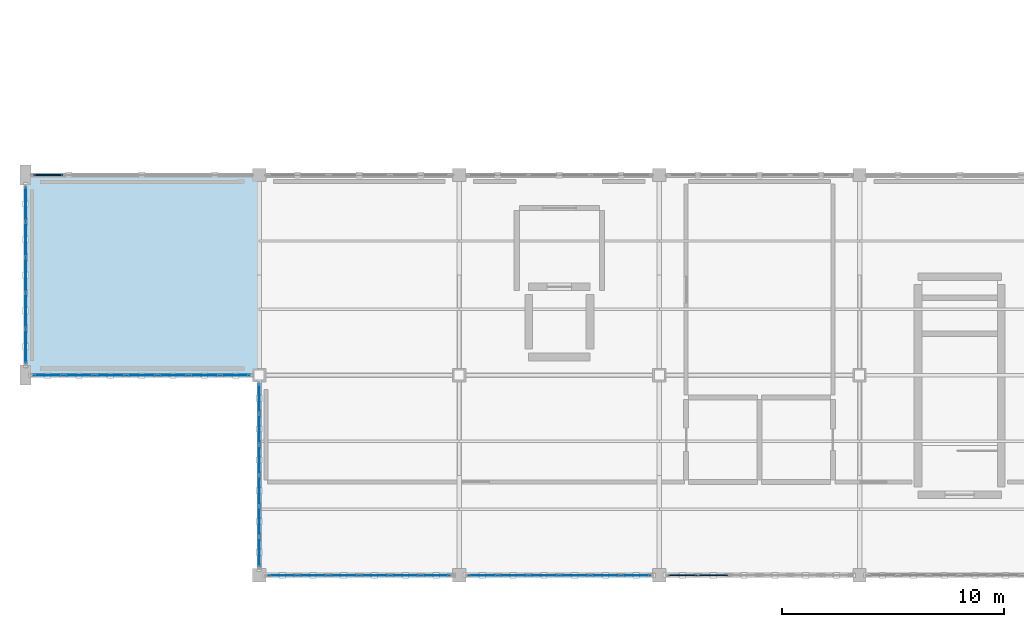
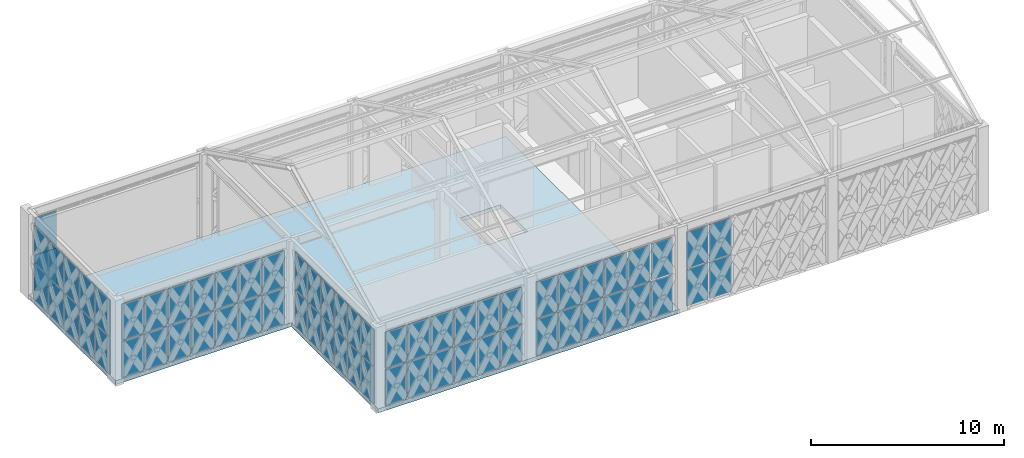
# One storey, part 24 of 32: 66 plates, 1 slab, 7 elements without a shape of their own.
"""IFC4 building model written with IfcOpenShell, lengths in metres."""

import ifcopenshell
import ifcopenshell.guid

model = None  # the IFC model being written
_history = None  # IfcOwnerHistory: only IFC2X3 demands one
_inside = {}  # id of a spatial element -> (the spatial element, [elements in it])
_under = {}  # id of a project, library or spatial element -> (it, [spatial elements below it])
_declared = {}  # id of a project -> (the project, [libraries it declares])
_typed = {}  # id of a type object -> (the type object, [elements of that type])
_made_of = {}  # id of a material, layer set ... -> (it, [elements and type objects made of it])


def new_model(schema):
    """Start an empty IFC model of exactly this schema.

    Asked for "IFC4X3", IfcOpenShell would pick the latest addendum, in which some entities
    have other attributes; the version numbers below select the first issue.
    IFC2X3 requires an IfcOwnerHistory on every rooted entity: one is made here for all.
    """
    global model, _history
    if schema == "IFC4X3":
        model = ifcopenshell.file(schema_version=(4, 3, 0, 0))
    else:
        model = ifcopenshell.file(schema=schema)
    _inside.clear()
    _under.clear()
    _declared.clear()
    _typed.clear()
    _made_of.clear()
    _history = None
    if model.schema == "IFC2X3":
        org = make("IfcOrganization", Name="unknown")
        user = make(
            "IfcPersonAndOrganization",
            ThePerson=make("IfcPerson", FamilyName="unknown"),
            TheOrganization=org,
        )
        app = make(
            "IfcApplication",
            ApplicationDeveloper=org,
            Version="unknown",
            ApplicationFullName="unknown",
            ApplicationIdentifier="unknown",
        )
        _history = make(
            "IfcOwnerHistory",
            OwningUser=user,
            OwningApplication=app,
            ChangeAction="ADDED",
            CreationDate=0,
        )
    return model


def make(cls, **values):
    """One entity of the class cls with the attributes given. An attribute that is None is left unset."""
    return model.create_entity(
        cls, **{name: value for name, value in values.items() if value is not None}
    )


def rooted(cls, **values):
    """An entity with a GlobalId (a new one), such as an element, a storey or a relation."""
    return make(cls, GlobalId=ifcopenshell.guid.new(), OwnerHistory=_history, **values)


def si_unit(unit_type, name, prefix=None):
    """IfcSIUnit, for example si_unit("LENGTHUNIT", "METRE", prefix="MILLI")."""
    return make("IfcSIUnit", UnitType=unit_type, Prefix=prefix, Name=name)


def assignment(units):
    """IfcUnitAssignment: the units of a project."""
    return None if units is None else make("IfcUnitAssignment", Units=units)


def point(xyz):
    """IfcCartesianPoint."""
    return None if xyz is None else make("IfcCartesianPoint", Coordinates=xyz)


def direction(xyz):
    """IfcDirection."""
    return None if xyz is None else make("IfcDirection", DirectionRatios=xyz)


def frame(location, z_axis=None, x_axis=None):
    """IfcAxis2Placement3D, a coordinate frame: its origin and axes. An axis left out is left unset."""
    return make(
        "IfcAxis2Placement3D",
        Location=point(location),
        Axis=direction(z_axis),
        RefDirection=direction(x_axis),
    )


def frame_2d(location, x_axis=None):
    """IfcAxis2Placement2D, a coordinate frame in the plane: its origin and x axis."""
    return make(
        "IfcAxis2Placement2D", Location=point(location), RefDirection=direction(x_axis)
    )


def origin():
    """The frame at (0, 0, 0) with its axes left unset."""
    return frame((0.0, 0.0, 0.0))


def origin_2d():
    """The frame at (0, 0) in the plane with its x axis left unset."""
    return frame_2d((0.0, 0.0))


def place(relative_to, where):
    """IfcLocalPlacement: puts the frame where relative to a parent placement (None: the world)."""
    return make(
        "IfcLocalPlacement", PlacementRelTo=relative_to, RelativePlacement=where
    )


def context(
    kind, dimensions, precision=None, world=None, true_north=None, identifier=None
):
    """IfcGeometricRepresentationContext, for example the 3D "Model" context."""
    return make(
        "IfcGeometricRepresentationContext",
        ContextIdentifier=identifier,
        ContextType=kind,
        CoordinateSpaceDimension=dimensions,
        Precision=precision,
        WorldCoordinateSystem=world,
        TrueNorth=true_north,
    )


def subcontext(parent, identifier, kind, view, scale=None):
    """IfcGeometricRepresentationSubContext, for example "Body" below "Model"."""
    return make(
        "IfcGeometricRepresentationSubContext",
        ContextIdentifier=identifier,
        ContextType=kind,
        ParentContext=parent,
        TargetScale=scale,
        TargetView=view,
    )


def project(units=None, contexts=None):
    """IfcProject with its units and contexts."""
    return rooted(
        "IfcProject",
        Name="project",
        RepresentationContexts=contexts,
        UnitsInContext=assignment(units),
    )


def spatial(cls, under=None, at=None, **own):
    """A site, building, storey or space (cls), placed at a placement, below another one or the project."""
    s = rooted(cls, ObjectPlacement=at, **own)
    if under is not None:
        _under.setdefault(under.id(), (under, []))[1].append(s)
    return s


def polyline(points):
    """IfcPolyline through the points."""
    return make("IfcPolyline", Points=[point(p) for p in points])


def profile(cls, at=None, kind="AREA", **sizes):
    """A parametric profile (cls). Its sizes go by their IFC names, for example OverallWidth=200.0."""
    return make(cls, ProfileType=kind, Position=at, **sizes)


def rectangle(**sizes):
    """IfcRectangleProfileDef."""
    return profile("IfcRectangleProfileDef", **sizes)


def outline(outer, holes=None, kind="AREA"):
    """IfcArbitraryClosedProfileDef: a profile drawn as a closed curve; with holes, ...WithVoids."""
    if holes is None:
        return make("IfcArbitraryClosedProfileDef", ProfileType=kind, OuterCurve=outer)
    return make(
        "IfcArbitraryProfileDefWithVoids",
        ProfileType=kind,
        OuterCurve=outer,
        InnerCurves=holes,
    )


def extrude(swept, where, along, depth):
    """IfcExtrudedAreaSolid: the profile swept, set in the frame where, extruded along a direction by depth."""
    return make(
        "IfcExtrudedAreaSolid",
        SweptArea=swept,
        Position=where,
        ExtrudedDirection=direction(along),
        Depth=depth,
    )


def shape(context_of_items, identifier, shape_type, items):
    """IfcShapeRepresentation: the items that make up one representation, for example the "Body"."""
    return make(
        "IfcShapeRepresentation",
        ContextOfItems=context_of_items,
        RepresentationIdentifier=identifier,
        RepresentationType=shape_type,
        Items=items,
    )


def material(Name=None, Category=None):
    """IfcMaterial."""
    return make("IfcMaterial", Name=Name, Category=Category)


def layer(
    of_material, thickness, ventilated=None, Name=None, Category=None, Priority=None
):
    """IfcMaterialLayer: one layer of a wall or slab, of a material (None: an air gap)."""
    return make(
        "IfcMaterialLayer",
        Material=of_material,
        LayerThickness=thickness,
        IsVentilated=ventilated,
        Name=Name,
        Category=Category,
        Priority=Priority,
    )


def layer_set(layers, Name=None):
    """IfcMaterialLayerSet."""
    return make("IfcMaterialLayerSet", MaterialLayers=layers, LayerSetName=Name)


def made_of(thing, what):
    """Note that an element or type object is made of a material, layer set ...; save() writes the relation."""
    if what is not None:
        _made_of.setdefault(what.id(), (what, []))[1].append(thing)
    return thing


def type_object(cls, material=None, **own):
    """A type object (cls), such as IfcWallType, which elements share."""
    return made_of(rooted(cls, **own), material)


def element(
    cls,
    number,
    at=None,
    inside=None,
    cuts=None,
    type_object=None,
    material=None,
    context=None,
    identifier="Body",
    shape_type=None,
    held_by="IfcProductDefinitionShape",
    body=None,
    shapes=None,
    **own,
):
    """One element of the class cls, such as IfcWall. Its Tag is "e" and its number.

    at: its placement. inside: the storey or other place that contains it. cuts: it is an
    opening in that element (IfcRelVoidsElement). A single representation is given by context,
    identifier, shape_type and body (its items); several are given by shapes. held_by: the class
    of the entity that holds the representations. save() writes the other relations.
    """
    e = rooted(cls, Tag="e%d" % number, ObjectPlacement=at, **own)
    if body is not None:
        shapes = [shape(context, identifier, shape_type, body)]
    if shapes is not None:
        e.Representation = make(held_by, Representations=shapes)
    if inside is not None:
        _inside.setdefault(inside.id(), (inside, []))[1].append(e)
    if cuts is not None:
        rooted(
            "IfcRelVoidsElement", RelatingBuildingElement=cuts, RelatedOpeningElement=e
        )
    if type_object is not None:
        _typed.setdefault(type_object.id(), (type_object, []))[1].append(e)
    return made_of(e, material)


def aggregate(whole, parts):
    """IfcRelAggregates: a whole, such as a stair, and the parts it consists of."""
    return rooted("IfcRelAggregates", RelatingObject=whole, RelatedObjects=parts)


def save(model, path):
    """Write the relations noted so far, then the file.

    IfcRelAggregates (storeys below a building ...), IfcRelContainedInSpatialStructure (elements
    in a storey), IfcRelDefinesByType, IfcRelAssociatesMaterial and IfcRelDeclares: one each for
    every whole, place, type object, material and project.
    """
    for whole, parts in _under.values():
        aggregate(whole, parts)
    for where, things in _inside.values():
        rooted(
            "IfcRelContainedInSpatialStructure",
            RelatedElements=things,
            RelatingStructure=where,
        )
    for kind, things in _typed.values():
        rooted("IfcRelDefinesByType", RelatedObjects=things, RelatingType=kind)
    for what, things in _made_of.values():
        rooted("IfcRelAssociatesMaterial", RelatedObjects=things, RelatingMaterial=what)
    for by, libraries in _declared.values():
        rooted("IfcRelDeclares", RelatingContext=by, RelatedDefinitions=libraries)
    model.write(path)


model = new_model("IFC4")

# Units and contexts
model_context = context("Model", 3, precision=1e-05, world=origin(), true_north=direction((0.0, 1.0)))
body_context = subcontext(model_context, "Body", "Model", "MODEL_VIEW")
ifc_project = project(units=[si_unit("LENGTHUNIT", "METRE"), si_unit("AREAUNIT", "SQUARE_METRE"), si_unit("VOLUMEUNIT", "CUBIC_METRE"), si_unit("PLANEANGLEUNIT", "RADIAN"), si_unit("MASSUNIT", "GRAM", prefix="KILO")], contexts=[model_context])

# Site, building, storey
site_placement = place(None, origin())
site = spatial("IfcSite", under=ifc_project, at=site_placement, CompositionType="ELEMENT")
building_placement = place(site_placement, origin())
building = spatial("IfcBuilding", under=site, at=building_placement, Name="Haizhuo Lancet Aquarium", CompositionType="ELEMENT")
storey_placement = place(building_placement, frame((0.0, 0.0, 27.0)))
storey = spatial("IfcBuildingStorey", under=building, at=storey_placement, Name="L05", CompositionType="ELEMENT", Elevation=27.0)

# Curtain wall, plates
ifc_material_1 = material(Name="Aluminium 6063-T6", Category="aluminium")
curtain_wall_type_1 = type_object("IfcCurtainWallType", Name="CWD-8310x4800", PredefinedType="NOTDEFINED", material=ifc_material_1)
curtain_wall_1_placement = place(storey_placement, origin())
curtain_wall_1 = element("IfcCurtainWall", 1, at=curtain_wall_1_placement, inside=storey, type_object=curtain_wall_type_1, Name="L05 curtain wall CW-V6-L05-269", PredefinedType="NOTDEFINED")
ifc_material_2 = material(Name="Laminated Low-E Glass", Category="glass")
ifc_layer_1 = layer(ifc_material_2, 0.028076171875)
ifc_layer_set_1 = layer_set([ifc_layer_1], Name="Laminated Low-E Glass")
plate_type_1 = type_object("IfcPlateType", Name="CW-PNL-1", PredefinedType="CURTAIN_PANEL", material=ifc_layer_set_1)
plate_1_placement = place(storey_placement, frame((-55.055908203125, -27.0, 0.075439453125), z_axis=(0.0, 0.0, 1.0), x_axis=(-1.0, 0.0, 0.0)))
plate_1 = element("IfcPlate", 2, at=plate_1_placement, type_object=plate_type_1, Name="CWD-83x48 panel 1.1", PredefinedType="CURTAIN_PANEL", context=body_context, shape_type="SweptSolid", body=[
    extrude(rectangle(XDim=1.27294921875, YDim=0.028076171875, at=origin_2d()), origin(), (0.0, 0.0, 1.0), 2.287109375),
])
plate_2_placement = place(storey_placement, frame((-55.055908203125, -27.0, 2.4375), z_axis=(0.0, 0.0, 1.0), x_axis=(-1.0, 0.0, 0.0)))
plate_2 = element("IfcPlate", 3, at=plate_2_placement, type_object=plate_type_1, Name="CWD-83x48 panel 1.2", PredefinedType="CURTAIN_PANEL", context=body_context, shape_type="SweptSolid", body=[
    extrude(rectangle(XDim=1.27294921875, YDim=0.028076171875, at=origin_2d()), origin(), (0.0, 0.0, 1.0), 2.287109375),
])
plate_3_placement = place(storey_placement, frame((-56.422119140625, -27.0, 0.075439453125), z_axis=(0.0, 0.0, 1.0), x_axis=(-1.0, 0.0, 0.0)))
plate_3 = element("IfcPlate", 4, at=plate_3_placement, type_object=plate_type_1, Name="CWD-83x48 panel 2.1", PredefinedType="CURTAIN_PANEL", context=body_context, shape_type="SweptSolid", body=[
    extrude(rectangle(XDim=1.31005859375, YDim=0.028076171875, at=origin_2d()), origin(), (0.0, 0.0, 1.0), 2.287109375),
])
plate_4_placement = place(storey_placement, frame((-56.422119140625, -27.0, 2.4375), z_axis=(0.0, 0.0, 1.0), x_axis=(-1.0, 0.0, 0.0)))
plate_4 = element("IfcPlate", 5, at=plate_4_placement, type_object=plate_type_1, Name="CWD-83x48 panel 2.2", PredefinedType="CURTAIN_PANEL", context=body_context, shape_type="SweptSolid", body=[
    extrude(rectangle(XDim=1.31005859375, YDim=0.028076171875, at=origin_2d()), origin(), (0.0, 0.0, 1.0), 2.287109375),
])
plate_5_placement = place(storey_placement, frame((-57.806884765625, -27.0, 0.075439453125), z_axis=(0.0, 0.0, 1.0), x_axis=(-1.0, 0.0, 0.0)))
plate_5 = element("IfcPlate", 6, at=plate_5_placement, type_object=plate_type_1, Name="CWD-83x48 panel 3.1", PredefinedType="CURTAIN_PANEL", context=body_context, shape_type="SweptSolid", body=[
    extrude(rectangle(XDim=1.31005859375, YDim=0.028076171875, at=origin_2d()), origin(), (0.0, 0.0, 1.0), 2.287109375),
])
plate_6_placement = place(storey_placement, frame((-57.806884765625, -27.0, 2.4375), z_axis=(0.0, 0.0, 1.0), x_axis=(-1.0, 0.0, 0.0)))
plate_6 = element("IfcPlate", 7, at=plate_6_placement, type_object=plate_type_1, Name="CWD-83x48 panel 3.2", PredefinedType="CURTAIN_PANEL", context=body_context, shape_type="SweptSolid", body=[
    extrude(rectangle(XDim=1.31005859375, YDim=0.028076171875, at=origin_2d()), origin(), (0.0, 0.0, 1.0), 2.287109375),
])
plate_7_placement = place(storey_placement, frame((-59.193115234375, -27.0, 0.075439453125), z_axis=(0.0, 0.0, 1.0), x_axis=(-1.0, 0.0, 0.0)))
plate_7 = element("IfcPlate", 8, at=plate_7_placement, type_object=plate_type_1, Name="CWD-83x48 panel 4.1", PredefinedType="CURTAIN_PANEL", context=body_context, shape_type="SweptSolid", body=[
    extrude(rectangle(XDim=1.31005859375, YDim=0.028076171875, at=origin_2d()), origin(), (0.0, 0.0, 1.0), 2.287109375),
])
plate_8_placement = place(storey_placement, frame((-59.193115234375, -27.0, 2.4375), z_axis=(0.0, 0.0, 1.0), x_axis=(-1.0, 0.0, 0.0)))
plate_8 = element("IfcPlate", 9, at=plate_8_placement, type_object=plate_type_1, Name="CWD-83x48 panel 4.2", PredefinedType="CURTAIN_PANEL", context=body_context, shape_type="SweptSolid", body=[
    extrude(rectangle(XDim=1.31005859375, YDim=0.028076171875, at=origin_2d()), origin(), (0.0, 0.0, 1.0), 2.287109375),
])
plate_9_placement = place(storey_placement, frame((-60.577880859375, -27.0, 0.075439453125), z_axis=(0.0, 0.0, 1.0), x_axis=(-1.0, 0.0, 0.0)))
plate_9 = element("IfcPlate", 10, at=plate_9_placement, type_object=plate_type_1, Name="CWD-83x48 panel 5.1", PredefinedType="CURTAIN_PANEL", context=body_context, shape_type="SweptSolid", body=[
    extrude(rectangle(XDim=1.31005859375, YDim=0.028076171875, at=origin_2d()), origin(), (0.0, 0.0, 1.0), 2.287109375),
])
plate_10_placement = place(storey_placement, frame((-60.577880859375, -27.0, 2.4375), z_axis=(0.0, 0.0, 1.0), x_axis=(-1.0, 0.0, 0.0)))
plate_10 = element("IfcPlate", 11, at=plate_10_placement, type_object=plate_type_1, Name="CWD-83x48 panel 5.2", PredefinedType="CURTAIN_PANEL", context=body_context, shape_type="SweptSolid", body=[
    extrude(rectangle(XDim=1.31005859375, YDim=0.028076171875, at=origin_2d()), origin(), (0.0, 0.0, 1.0), 2.287109375),
])
plate_11_placement = place(storey_placement, frame((-61.944091796875, -27.0, 0.075439453125), z_axis=(0.0, 0.0, 1.0), x_axis=(-1.0, 0.0, 0.0)))
plate_11 = element("IfcPlate", 12, at=plate_11_placement, type_object=plate_type_1, Name="CWD-83x48 panel 6.1", PredefinedType="CURTAIN_PANEL", context=body_context, shape_type="SweptSolid", body=[
    extrude(rectangle(XDim=1.27294921875, YDim=0.028076171875, at=origin_2d()), origin(), (0.0, 0.0, 1.0), 2.287109375),
])
plate_12_placement = place(storey_placement, frame((-61.944091796875, -27.0, 2.4375), z_axis=(0.0, 0.0, 1.0), x_axis=(-1.0, 0.0, 0.0)))
plate_12 = element("IfcPlate", 13, at=plate_12_placement, type_object=plate_type_1, Name="CWD-83x48 panel 6.2", PredefinedType="CURTAIN_PANEL", context=body_context, shape_type="SweptSolid", body=[
    extrude(rectangle(XDim=1.27294921875, YDim=0.028076171875, at=origin_2d()), origin(), (0.0, 0.0, 1.0), 2.287109375),
])
aggregate(curtain_wall_1, [plate_1, plate_2, plate_3, plate_4, plate_5, plate_6, plate_7, plate_8, plate_9, plate_10, plate_11, plate_12])

curtain_wall_type_2 = type_object("IfcCurtainWallType", Name="CWD-9860x4800", PredefinedType="NOTDEFINED", material=ifc_material_1)
curtain_wall_2_placement = place(storey_placement, origin())
curtain_wall_2 = element("IfcCurtainWall", 14, at=curtain_wall_2_placement, inside=storey, type_object=curtain_wall_type_2, Name="L05 curtain wall CW-V6-L05-258", PredefinedType="NOTDEFINED")
ifc_layer_2 = layer(ifc_material_2, 0.033935546875)
ifc_layer_set_2 = layer_set([ifc_layer_2], Name="Laminated Low-E Glass")
plate_type_2 = type_object("IfcPlateType", Name="CW-PNL-2", PredefinedType="CURTAIN_PANEL", material=ifc_layer_set_2)
plate_13_placement = place(storey_placement, frame((-73.069091796875, -18.0, 0.080078125), z_axis=(0.0, 0.0, 1.0), x_axis=(-1.0, 0.0, 0.0)))
plate_13 = element("IfcPlate", 15, at=plate_13_placement, type_object=plate_type_2, Name="CWD-98x48 panel 1.1", PredefinedType="CURTAIN_PANEL", context=body_context, shape_type="SweptSolid", body=[
    extrude(rectangle(XDim=1.2890625, YDim=0.033935546875, at=origin_2d()), origin(), (0.0, 0.0, 1.0), 2.280029296875),
])
plate_14_placement = place(storey_placement, frame((-73.069091796875, -18.0, 2.43994140625), z_axis=(0.0, 0.0, 1.0), x_axis=(-1.0, 0.0, 0.0)))
plate_14 = element("IfcPlate", 16, at=plate_14_placement, type_object=plate_type_2, Name="CWD-98x48 panel 1.2", PredefinedType="CURTAIN_PANEL", context=body_context, shape_type="SweptSolid", body=[
    extrude(rectangle(XDim=1.2890625, YDim=0.033935546875, at=origin_2d()), origin(), (0.0, 0.0, 1.0), 2.280029296875),
])
plate_15_placement = place(storey_placement, frame((-74.4580078125, -18.0, 0.080078125), z_axis=(0.0, 0.0, 1.0), x_axis=(-1.0, 0.0, 0.0)))
plate_15 = element("IfcPlate", 17, at=plate_15_placement, type_object=plate_type_2, Name="CWD-98x48 panel 2.1", PredefinedType="CURTAIN_PANEL", context=body_context, shape_type="SweptSolid", body=[
    extrude(rectangle(XDim=1.3291015625, YDim=0.033935546875, at=origin_2d()), origin(), (0.0, 0.0, 1.0), 2.280029296875),
])
plate_16_placement = place(storey_placement, frame((-74.4580078125, -18.0, 2.43994140625), z_axis=(0.0, 0.0, 1.0), x_axis=(-1.0, 0.0, 0.0)))
plate_16 = element("IfcPlate", 18, at=plate_16_placement, type_object=plate_type_2, Name="CWD-98x48 panel 2.2", PredefinedType="CURTAIN_PANEL", context=body_context, shape_type="SweptSolid", body=[
    extrude(rectangle(XDim=1.3291015625, YDim=0.033935546875, at=origin_2d()), origin(), (0.0, 0.0, 1.0), 2.280029296875),
])
plate_17_placement = place(storey_placement, frame((-75.865966796875, -18.0, 0.080078125), z_axis=(0.0, 0.0, 1.0), x_axis=(-1.0, 0.0, 0.0)))
plate_17 = element("IfcPlate", 19, at=plate_17_placement, type_object=plate_type_2, Name="CWD-98x48 panel 3.1", PredefinedType="CURTAIN_PANEL", context=body_context, shape_type="SweptSolid", body=[
    extrude(rectangle(XDim=1.3291015625, YDim=0.033935546875, at=origin_2d()), origin(), (0.0, 0.0, 1.0), 2.280029296875),
])
plate_18_placement = place(storey_placement, frame((-75.865966796875, -18.0, 2.43994140625), z_axis=(0.0, 0.0, 1.0), x_axis=(-1.0, 0.0, 0.0)))
plate_18 = element("IfcPlate", 20, at=plate_18_placement, type_object=plate_type_2, Name="CWD-98x48 panel 3.2", PredefinedType="CURTAIN_PANEL", context=body_context, shape_type="SweptSolid", body=[
    extrude(rectangle(XDim=1.3291015625, YDim=0.033935546875, at=origin_2d()), origin(), (0.0, 0.0, 1.0), 2.280029296875),
])
plate_19_placement = place(storey_placement, frame((-77.27490234375, -18.0, 0.080078125), z_axis=(0.0, 0.0, 1.0), x_axis=(-1.0, 0.0, 0.0)))
plate_19 = element("IfcPlate", 21, at=plate_19_placement, type_object=plate_type_2, Name="CWD-98x48 panel 4.1", PredefinedType="CURTAIN_PANEL", context=body_context, shape_type="SweptSolid", body=[
    extrude(rectangle(XDim=1.3291015625, YDim=0.033935546875, at=origin_2d()), origin(), (0.0, 0.0, 1.0), 2.280029296875),
])
plate_20_placement = place(storey_placement, frame((-77.27490234375, -18.0, 2.43994140625), z_axis=(0.0, 0.0, 1.0), x_axis=(-1.0, 0.0, 0.0)))
plate_20 = element("IfcPlate", 22, at=plate_20_placement, type_object=plate_type_2, Name="CWD-98x48 panel 4.2", PredefinedType="CURTAIN_PANEL", context=body_context, shape_type="SweptSolid", body=[
    extrude(rectangle(XDim=1.3291015625, YDim=0.033935546875, at=origin_2d()), origin(), (0.0, 0.0, 1.0), 2.280029296875),
])
plate_21_placement = place(storey_placement, frame((-78.68408203125, -18.0, 0.080078125), z_axis=(0.0, 0.0, 1.0), x_axis=(-1.0, 0.0, 0.0)))
plate_21 = element("IfcPlate", 23, at=plate_21_placement, type_object=plate_type_2, Name="CWD-98x48 panel 5.1", PredefinedType="CURTAIN_PANEL", context=body_context, shape_type="SweptSolid", body=[
    extrude(rectangle(XDim=1.3291015625, YDim=0.033935546875, at=origin_2d()), origin(), (0.0, 0.0, 1.0), 2.280029296875),
])
plate_22_placement = place(storey_placement, frame((-78.68408203125, -18.0, 2.43994140625), z_axis=(0.0, 0.0, 1.0), x_axis=(-1.0, 0.0, 0.0)))
plate_22 = element("IfcPlate", 24, at=plate_22_placement, type_object=plate_type_2, Name="CWD-98x48 panel 5.2", PredefinedType="CURTAIN_PANEL", context=body_context, shape_type="SweptSolid", body=[
    extrude(rectangle(XDim=1.3291015625, YDim=0.033935546875, at=origin_2d()), origin(), (0.0, 0.0, 1.0), 2.280029296875),
])
plate_23_placement = place(storey_placement, frame((-80.092041015625, -18.0, 0.080078125), z_axis=(0.0, 0.0, 1.0), x_axis=(-1.0, 0.0, 0.0)))
plate_23 = element("IfcPlate", 25, at=plate_23_placement, type_object=plate_type_2, Name="CWD-98x48 panel 6.1", PredefinedType="CURTAIN_PANEL", context=body_context, shape_type="SweptSolid", body=[
    extrude(rectangle(XDim=1.3291015625, YDim=0.033935546875, at=origin_2d()), origin(), (0.0, 0.0, 1.0), 2.280029296875),
])
plate_24_placement = place(storey_placement, frame((-80.092041015625, -18.0, 2.43994140625), z_axis=(0.0, 0.0, 1.0), x_axis=(-1.0, 0.0, 0.0)))
plate_24 = element("IfcPlate", 26, at=plate_24_placement, type_object=plate_type_2, Name="CWD-98x48 panel 6.2", PredefinedType="CURTAIN_PANEL", context=body_context, shape_type="SweptSolid", body=[
    extrude(rectangle(XDim=1.3291015625, YDim=0.033935546875, at=origin_2d()), origin(), (0.0, 0.0, 1.0), 2.280029296875),
])
plate_25_placement = place(storey_placement, frame((-81.48095703125, -18.0, 0.080078125), z_axis=(0.0, 0.0, 1.0), x_axis=(-1.0, 0.0, 0.0)))
plate_25 = element("IfcPlate", 27, at=plate_25_placement, type_object=plate_type_2, Name="CWD-98x48 panel 7.1", PredefinedType="CURTAIN_PANEL", context=body_context, shape_type="SweptSolid", body=[
    extrude(rectangle(XDim=1.2890625, YDim=0.033935546875, at=origin_2d()), origin(), (0.0, 0.0, 1.0), 2.280029296875),
])
plate_26_placement = place(storey_placement, frame((-81.48095703125, -18.0, 2.43994140625), z_axis=(0.0, 0.0, 1.0), x_axis=(-1.0, 0.0, 0.0)))
plate_26 = element("IfcPlate", 28, at=plate_26_placement, type_object=plate_type_2, Name="CWD-98x48 panel 7.2", PredefinedType="CURTAIN_PANEL", context=body_context, shape_type="SweptSolid", body=[
    extrude(rectangle(XDim=1.2890625, YDim=0.033935546875, at=origin_2d()), origin(), (0.0, 0.0, 1.0), 2.280029296875),
])
aggregate(curtain_wall_2, [plate_13, plate_14, plate_15, plate_16, plate_17, plate_18, plate_19, plate_20, plate_21, plate_22, plate_23, plate_24, plate_25, plate_26])

curtain_wall_3_placement = place(storey_placement, origin())
curtain_wall_3 = element("IfcCurtainWall", 29, at=curtain_wall_3_placement, inside=storey, type_object=curtain_wall_type_1, Name="L05 curtain wall CW-V6-L05-270", PredefinedType="NOTDEFINED")
plate_27_placement = place(storey_placement, frame((-64.05810546875, -27.0, 0.080078125), z_axis=(0.0, 0.0, 1.0), x_axis=(-1.0, 0.0, 0.0)))
plate_27 = element("IfcPlate", 30, at=plate_27_placement, type_object=plate_type_2, Name="CWD-83x48 panel 1.1", PredefinedType="CURTAIN_PANEL", context=body_context, shape_type="SweptSolid", body=[
    extrude(rectangle(XDim=1.264892578125, YDim=0.033935546875, at=origin_2d()), origin(), (0.0, 0.0, 1.0), 2.280029296875),
])
plate_28_placement = place(storey_placement, frame((-64.05810546875, -27.0, 2.43994140625), z_axis=(0.0, 0.0, 1.0), x_axis=(-1.0, 0.0, 0.0)))
plate_28 = element("IfcPlate", 31, at=plate_28_placement, type_object=plate_type_2, Name="CWD-83x48 panel 1.2", PredefinedType="CURTAIN_PANEL", context=body_context, shape_type="SweptSolid", body=[
    extrude(rectangle(XDim=1.264892578125, YDim=0.033935546875, at=origin_2d()), origin(), (0.0, 0.0, 1.0), 2.280029296875),
])
plate_29_placement = place(storey_placement, frame((-65.422119140625, -27.0, 0.080078125), z_axis=(0.0, 0.0, 1.0), x_axis=(-1.0, 0.0, 0.0)))
plate_29 = element("IfcPlate", 32, at=plate_29_placement, type_object=plate_type_2, Name="CWD-83x48 panel 2.1", PredefinedType="CURTAIN_PANEL", context=body_context, shape_type="SweptSolid", body=[
    extrude(rectangle(XDim=1.304931640625, YDim=0.033935546875, at=origin_2d()), origin(), (0.0, 0.0, 1.0), 2.280029296875),
])
plate_30_placement = place(storey_placement, frame((-65.422119140625, -27.0, 2.43994140625), z_axis=(0.0, 0.0, 1.0), x_axis=(-1.0, 0.0, 0.0)))
plate_30 = element("IfcPlate", 33, at=plate_30_placement, type_object=plate_type_2, Name="CWD-83x48 panel 2.2", PredefinedType="CURTAIN_PANEL", context=body_context, shape_type="SweptSolid", body=[
    extrude(rectangle(XDim=1.304931640625, YDim=0.033935546875, at=origin_2d()), origin(), (0.0, 0.0, 1.0), 2.280029296875),
])
plate_31_placement = place(storey_placement, frame((-66.80810546875, -27.0, 0.080078125), z_axis=(0.0, 0.0, 1.0), x_axis=(-1.0, 0.0, 0.0)))
plate_31 = element("IfcPlate", 34, at=plate_31_placement, type_object=plate_type_2, Name="CWD-83x48 panel 3.1", PredefinedType="CURTAIN_PANEL", context=body_context, shape_type="SweptSolid", body=[
    extrude(rectangle(XDim=1.304931640625, YDim=0.033935546875, at=origin_2d()), origin(), (0.0, 0.0, 1.0), 2.280029296875),
])
plate_32_placement = place(storey_placement, frame((-66.80810546875, -27.0, 2.43994140625), z_axis=(0.0, 0.0, 1.0), x_axis=(-1.0, 0.0, 0.0)))
plate_32 = element("IfcPlate", 35, at=plate_32_placement, type_object=plate_type_2, Name="CWD-83x48 panel 3.2", PredefinedType="CURTAIN_PANEL", context=body_context, shape_type="SweptSolid", body=[
    extrude(rectangle(XDim=1.304931640625, YDim=0.033935546875, at=origin_2d()), origin(), (0.0, 0.0, 1.0), 2.280029296875),
])
plate_33_placement = place(storey_placement, frame((-68.19189453125, -27.0, 0.080078125), z_axis=(0.0, 0.0, 1.0), x_axis=(-1.0, 0.0, 0.0)))
plate_33 = element("IfcPlate", 36, at=plate_33_placement, type_object=plate_type_2, Name="CWD-83x48 panel 4.1", PredefinedType="CURTAIN_PANEL", context=body_context, shape_type="SweptSolid", body=[
    extrude(rectangle(XDim=1.304931640625, YDim=0.033935546875, at=origin_2d()), origin(), (0.0, 0.0, 1.0), 2.280029296875),
])
plate_34_placement = place(storey_placement, frame((-68.19189453125, -27.0, 2.43994140625), z_axis=(0.0, 0.0, 1.0), x_axis=(-1.0, 0.0, 0.0)))
plate_34 = element("IfcPlate", 37, at=plate_34_placement, type_object=plate_type_2, Name="CWD-83x48 panel 4.2", PredefinedType="CURTAIN_PANEL", context=body_context, shape_type="SweptSolid", body=[
    extrude(rectangle(XDim=1.304931640625, YDim=0.033935546875, at=origin_2d()), origin(), (0.0, 0.0, 1.0), 2.280029296875),
])
plate_35_placement = place(storey_placement, frame((-69.577880859375, -27.0, 0.080078125), z_axis=(0.0, 0.0, 1.0), x_axis=(-1.0, 0.0, 0.0)))
plate_35 = element("IfcPlate", 38, at=plate_35_placement, type_object=plate_type_2, Name="CWD-83x48 panel 5.1", PredefinedType="CURTAIN_PANEL", context=body_context, shape_type="SweptSolid", body=[
    extrude(rectangle(XDim=1.304931640625, YDim=0.033935546875, at=origin_2d()), origin(), (0.0, 0.0, 1.0), 2.280029296875),
])
plate_36_placement = place(storey_placement, frame((-69.577880859375, -27.0, 2.43994140625), z_axis=(0.0, 0.0, 1.0), x_axis=(-1.0, 0.0, 0.0)))
plate_36 = element("IfcPlate", 39, at=plate_36_placement, type_object=plate_type_2, Name="CWD-83x48 panel 5.2", PredefinedType="CURTAIN_PANEL", context=body_context, shape_type="SweptSolid", body=[
    extrude(rectangle(XDim=1.304931640625, YDim=0.033935546875, at=origin_2d()), origin(), (0.0, 0.0, 1.0), 2.280029296875),
])
plate_37_placement = place(storey_placement, frame((-70.94189453125, -27.0, 0.080078125), z_axis=(0.0, 0.0, 1.0), x_axis=(-1.0, 0.0, 0.0)))
plate_37 = element("IfcPlate", 40, at=plate_37_placement, type_object=plate_type_2, Name="CWD-83x48 panel 6.1", PredefinedType="CURTAIN_PANEL", context=body_context, shape_type="SweptSolid", body=[
    extrude(rectangle(XDim=1.264892578125, YDim=0.033935546875, at=origin_2d()), origin(), (0.0, 0.0, 1.0), 2.280029296875),
])
plate_38_placement = place(storey_placement, frame((-70.94189453125, -27.0, 2.43994140625), z_axis=(0.0, 0.0, 1.0), x_axis=(-1.0, 0.0, 0.0)))
plate_38 = element("IfcPlate", 41, at=plate_38_placement, type_object=plate_type_2, Name="CWD-83x48 panel 6.2", PredefinedType="CURTAIN_PANEL", context=body_context, shape_type="SweptSolid", body=[
    extrude(rectangle(XDim=1.264892578125, YDim=0.033935546875, at=origin_2d()), origin(), (0.0, 0.0, 1.0), 2.280029296875),
])
aggregate(curtain_wall_3, [plate_27, plate_28, plate_29, plate_30, plate_31, plate_32, plate_33, plate_34, plate_35, plate_36, plate_37, plate_38])

curtain_wall_type_3 = type_object("IfcCurtainWallType", Name="CWD-8010x4800", PredefinedType="NOTDEFINED", material=ifc_material_1)
curtain_wall_4_placement = place(storey_placement, origin())
curtain_wall_4 = element("IfcCurtainWall", 42, at=curtain_wall_4_placement, inside=storey, type_object=curtain_wall_type_3, Name="L05 curtain wall CW-V6-L05-259", PredefinedType="NOTDEFINED")
ifc_layer_3 = layer(ifc_material_2, 0.0419921875)
ifc_layer_set_3 = layer_set([ifc_layer_3], Name="Laminated Low-E Glass")
plate_type_3 = type_object("IfcPlateType", Name="CW-PNL-3", PredefinedType="CURTAIN_PANEL", material=ifc_layer_set_3)
plate_39_placement = place(storey_placement, frame((-82.5, -16.68798828125, 0.064453125), z_axis=(0.0, 0.0, 1.0), x_axis=(0.0, 1.0, 0.0)))
plate_39 = element("IfcPlate", 43, at=plate_39_placement, type_object=plate_type_3, Name="CWD-80x48 panel 1.1", PredefinedType="CURTAIN_PANEL", context=body_context, shape_type="SweptSolid", body=[
    extrude(rectangle(XDim=1.50390625, YDim=0.0419921875, at=origin_2d()), origin(), (0.0, 0.0, 1.0), 2.302978515625),
])
plate_40_placement = place(storey_placement, frame((-82.5, -16.68798828125, 2.4326171875), z_axis=(0.0, 0.0, 1.0), x_axis=(0.0, 1.0, 0.0)))
plate_40 = element("IfcPlate", 44, at=plate_40_placement, type_object=plate_type_3, Name="CWD-80x48 panel 1.2", PredefinedType="CURTAIN_PANEL", context=body_context, shape_type="SweptSolid", body=[
    extrude(rectangle(XDim=1.50390625, YDim=0.0419921875, at=origin_2d()), origin(), (0.0, 0.0, 1.0), 2.302978515625),
])
plate_41_placement = place(storey_placement, frame((-82.5, -15.10205078125, 0.064453125), z_axis=(0.0, 0.0, 1.0), x_axis=(0.0, 1.0, 0.0)))
plate_41 = element("IfcPlate", 45, at=plate_41_placement, type_object=plate_type_3, Name="CWD-80x48 panel 2.1", PredefinedType="CURTAIN_PANEL", context=body_context, shape_type="SweptSolid", body=[
    extrude(rectangle(XDim=1.537109375, YDim=0.0419921875, at=origin_2d()), origin(), (0.0, 0.0, 1.0), 2.302978515625),
])
plate_42_placement = place(storey_placement, frame((-82.5, -15.10205078125, 2.4326171875), z_axis=(0.0, 0.0, 1.0), x_axis=(0.0, 1.0, 0.0)))
plate_42 = element("IfcPlate", 46, at=plate_42_placement, type_object=plate_type_3, Name="CWD-80x48 panel 2.2", PredefinedType="CURTAIN_PANEL", context=body_context, shape_type="SweptSolid", body=[
    extrude(rectangle(XDim=1.537109375, YDim=0.0419921875, at=origin_2d()), origin(), (0.0, 0.0, 1.0), 2.302978515625),
])
plate_43_placement = place(storey_placement, frame((-82.5, -13.5, 0.064453125), z_axis=(0.0, 0.0, 1.0), x_axis=(0.0, 1.0, 0.0)))
plate_43 = element("IfcPlate", 47, at=plate_43_placement, type_object=plate_type_3, Name="CWD-80x48 panel 3.1", PredefinedType="CURTAIN_PANEL", context=body_context, shape_type="SweptSolid", body=[
    extrude(rectangle(XDim=1.537109375, YDim=0.0419921875, at=origin_2d()), origin(), (0.0, 0.0, 1.0), 2.302978515625),
])
plate_44_placement = place(storey_placement, frame((-82.5, -13.5, 2.4326171875), z_axis=(0.0, 0.0, 1.0), x_axis=(0.0, 1.0, 0.0)))
plate_44 = element("IfcPlate", 48, at=plate_44_placement, type_object=plate_type_3, Name="CWD-80x48 panel 3.2", PredefinedType="CURTAIN_PANEL", context=body_context, shape_type="SweptSolid", body=[
    extrude(rectangle(XDim=1.537109375, YDim=0.0419921875, at=origin_2d()), origin(), (0.0, 0.0, 1.0), 2.302978515625),
])
plate_45_placement = place(storey_placement, frame((-82.5, -11.89794921875, 0.064453125), z_axis=(0.0, 0.0, 1.0), x_axis=(0.0, 1.0, 0.0)))
plate_45 = element("IfcPlate", 49, at=plate_45_placement, type_object=plate_type_3, Name="CWD-80x48 panel 4.1", PredefinedType="CURTAIN_PANEL", context=body_context, shape_type="SweptSolid", body=[
    extrude(rectangle(XDim=1.537109375, YDim=0.0419921875, at=origin_2d()), origin(), (0.0, 0.0, 1.0), 2.302978515625),
])
plate_46_placement = place(storey_placement, frame((-82.5, -11.89794921875, 2.4326171875), z_axis=(0.0, 0.0, 1.0), x_axis=(0.0, 1.0, 0.0)))
plate_46 = element("IfcPlate", 50, at=plate_46_placement, type_object=plate_type_3, Name="CWD-80x48 panel 4.2", PredefinedType="CURTAIN_PANEL", context=body_context, shape_type="SweptSolid", body=[
    extrude(rectangle(XDim=1.537109375, YDim=0.0419921875, at=origin_2d()), origin(), (0.0, 0.0, 1.0), 2.302978515625),
])
plate_47_placement = place(storey_placement, frame((-82.5, -10.31201171875, 0.064453125), z_axis=(0.0, 0.0, 1.0), x_axis=(0.0, 1.0, 0.0)))
plate_47 = element("IfcPlate", 51, at=plate_47_placement, type_object=plate_type_3, Name="CWD-80x48 panel 5.1", PredefinedType="CURTAIN_PANEL", context=body_context, shape_type="SweptSolid", body=[
    extrude(rectangle(XDim=1.5048828125, YDim=0.0419921875, at=origin_2d()), origin(), (0.0, 0.0, 1.0), 2.302978515625),
])
plate_48_placement = place(storey_placement, frame((-82.5, -10.31201171875, 2.4326171875), z_axis=(0.0, 0.0, 1.0), x_axis=(0.0, 1.0, 0.0)))
plate_48 = element("IfcPlate", 52, at=plate_48_placement, type_object=plate_type_3, Name="CWD-80x48 panel 5.2", PredefinedType="CURTAIN_PANEL", context=body_context, shape_type="SweptSolid", body=[
    extrude(rectangle(XDim=1.5048828125, YDim=0.0419921875, at=origin_2d()), origin(), (0.0, 0.0, 1.0), 2.302978515625),
])
aggregate(curtain_wall_4, [plate_39, plate_40, plate_41, plate_42, plate_43, plate_44, plate_45, plate_46, plate_47, plate_48])

curtain_wall_5_placement = place(storey_placement, origin())
curtain_wall_5 = element("IfcCurtainWall", 53, at=curtain_wall_5_placement, inside=storey, type_object=curtain_wall_type_1, Name="L05 curtain wall CW-V6-L05-271", PredefinedType="NOTDEFINED")
plate_49_placement = place(storey_placement, frame((-72.0, -25.946044921875, 0.064453125), z_axis=(0.0, 0.0, 1.0), x_axis=(0.0, 1.0, 0.0)))
plate_49 = element("IfcPlate", 54, at=plate_49_placement, type_object=plate_type_3, Name="CWD-83x48 panel 1.1", PredefinedType="CURTAIN_PANEL", context=body_context, shape_type="SweptSolid", body=[
    extrude(rectangle(XDim=1.2880859375, YDim=0.0419921875, at=origin_2d()), origin(), (0.0, 0.0, 1.0), 2.302978515625),
])
plate_50_placement = place(storey_placement, frame((-72.0, -25.946044921875, 2.4326171875), z_axis=(0.0, 0.0, 1.0), x_axis=(0.0, 1.0, 0.0)))
plate_50 = element("IfcPlate", 55, at=plate_50_placement, type_object=plate_type_3, Name="CWD-83x48 panel 1.2", PredefinedType="CURTAIN_PANEL", context=body_context, shape_type="SweptSolid", body=[
    extrude(rectangle(XDim=1.2880859375, YDim=0.0419921875, at=origin_2d()), origin(), (0.0, 0.0, 1.0), 2.302978515625),
])
plate_51_placement = place(storey_placement, frame((-72.0, -24.577880859375, 0.064453125), z_axis=(0.0, 0.0, 1.0), x_axis=(0.0, 1.0, 0.0)))
plate_51 = element("IfcPlate", 56, at=plate_51_placement, type_object=plate_type_3, Name="CWD-83x48 panel 2.1", PredefinedType="CURTAIN_PANEL", context=body_context, shape_type="SweptSolid", body=[
    extrude(rectangle(XDim=1.320068359375, YDim=0.0419921875, at=origin_2d()), origin(), (0.0, 0.0, 1.0), 2.302978515625),
])
plate_52_placement = place(storey_placement, frame((-72.0, -24.577880859375, 2.4326171875), z_axis=(0.0, 0.0, 1.0), x_axis=(0.0, 1.0, 0.0)))
plate_52 = element("IfcPlate", 57, at=plate_52_placement, type_object=plate_type_3, Name="CWD-83x48 panel 2.2", PredefinedType="CURTAIN_PANEL", context=body_context, shape_type="SweptSolid", body=[
    extrude(rectangle(XDim=1.320068359375, YDim=0.0419921875, at=origin_2d()), origin(), (0.0, 0.0, 1.0), 2.302978515625),
])
plate_53_placement = place(storey_placement, frame((-72.0, -23.19189453125, 0.064453125), z_axis=(0.0, 0.0, 1.0), x_axis=(0.0, 1.0, 0.0)))
plate_53 = element("IfcPlate", 58, at=plate_53_placement, type_object=plate_type_3, Name="CWD-83x48 panel 3.1", PredefinedType="CURTAIN_PANEL", context=body_context, shape_type="SweptSolid", body=[
    extrude(rectangle(XDim=1.320068359375, YDim=0.0419921875, at=origin_2d()), origin(), (0.0, 0.0, 1.0), 2.302978515625),
])
plate_54_placement = place(storey_placement, frame((-72.0, -23.19189453125, 2.4326171875), z_axis=(0.0, 0.0, 1.0), x_axis=(0.0, 1.0, 0.0)))
plate_54 = element("IfcPlate", 59, at=plate_54_placement, type_object=plate_type_3, Name="CWD-83x48 panel 3.2", PredefinedType="CURTAIN_PANEL", context=body_context, shape_type="SweptSolid", body=[
    extrude(rectangle(XDim=1.320068359375, YDim=0.0419921875, at=origin_2d()), origin(), (0.0, 0.0, 1.0), 2.302978515625),
])
plate_55_placement = place(storey_placement, frame((-72.0, -21.806884765625, 0.064453125), z_axis=(0.0, 0.0, 1.0), x_axis=(0.0, 1.0, 0.0)))
plate_55 = element("IfcPlate", 60, at=plate_55_placement, type_object=plate_type_3, Name="CWD-83x48 panel 4.1", PredefinedType="CURTAIN_PANEL", context=body_context, shape_type="SweptSolid", body=[
    extrude(rectangle(XDim=1.320068359375, YDim=0.0419921875, at=origin_2d()), origin(), (0.0, 0.0, 1.0), 2.302978515625),
])
plate_56_placement = place(storey_placement, frame((-72.0, -21.806884765625, 2.4326171875), z_axis=(0.0, 0.0, 1.0), x_axis=(0.0, 1.0, 0.0)))
plate_56 = element("IfcPlate", 61, at=plate_56_placement, type_object=plate_type_3, Name="CWD-83x48 panel 4.2", PredefinedType="CURTAIN_PANEL", context=body_context, shape_type="SweptSolid", body=[
    extrude(rectangle(XDim=1.320068359375, YDim=0.0419921875, at=origin_2d()), origin(), (0.0, 0.0, 1.0), 2.302978515625),
])
plate_57_placement = place(storey_placement, frame((-72.0, -20.422119140625, 0.064453125), z_axis=(0.0, 0.0, 1.0), x_axis=(0.0, 1.0, 0.0)))
plate_57 = element("IfcPlate", 62, at=plate_57_placement, type_object=plate_type_3, Name="CWD-83x48 panel 5.1", PredefinedType="CURTAIN_PANEL", context=body_context, shape_type="SweptSolid", body=[
    extrude(rectangle(XDim=1.320068359375, YDim=0.0419921875, at=origin_2d()), origin(), (0.0, 0.0, 1.0), 2.302978515625),
])
plate_58_placement = place(storey_placement, frame((-72.0, -20.422119140625, 2.4326171875), z_axis=(0.0, 0.0, 1.0), x_axis=(0.0, 1.0, 0.0)))
plate_58 = element("IfcPlate", 63, at=plate_58_placement, type_object=plate_type_3, Name="CWD-83x48 panel 5.2", PredefinedType="CURTAIN_PANEL", context=body_context, shape_type="SweptSolid", body=[
    extrude(rectangle(XDim=1.320068359375, YDim=0.0419921875, at=origin_2d()), origin(), (0.0, 0.0, 1.0), 2.302978515625),
])
plate_59_placement = place(storey_placement, frame((-72.0, -19.053955078125, 0.064453125), z_axis=(0.0, 0.0, 1.0), x_axis=(0.0, 1.0, 0.0)))
plate_59 = element("IfcPlate", 64, at=plate_59_placement, type_object=plate_type_3, Name="CWD-83x48 panel 6.1", PredefinedType="CURTAIN_PANEL", context=body_context, shape_type="SweptSolid", body=[
    extrude(rectangle(XDim=1.287109375, YDim=0.0419921875, at=origin_2d()), origin(), (0.0, 0.0, 1.0), 2.302978515625),
])
plate_60_placement = place(storey_placement, frame((-72.0, -19.053955078125, 2.4326171875), z_axis=(0.0, 0.0, 1.0), x_axis=(0.0, 1.0, 0.0)))
plate_60 = element("IfcPlate", 65, at=plate_60_placement, type_object=plate_type_3, Name="CWD-83x48 panel 6.2", PredefinedType="CURTAIN_PANEL", context=body_context, shape_type="SweptSolid", body=[
    extrude(rectangle(XDim=1.287109375, YDim=0.0419921875, at=origin_2d()), origin(), (0.0, 0.0, 1.0), 2.302978515625),
])
aggregate(curtain_wall_5, [plate_49, plate_50, plate_51, plate_52, plate_53, plate_54, plate_55, plate_56, plate_57, plate_58, plate_59, plate_60])

curtain_wall_type_4 = type_object("IfcCurtainWallType", Name="CWO-9860x4800", PredefinedType="NOTDEFINED", material=ifc_material_1)
curtain_wall_6_placement = place(storey_placement, origin())
curtain_wall_6 = element("IfcCurtainWall", 66, at=curtain_wall_6_placement, inside=storey, type_object=curtain_wall_type_4, Name="L05 curtain wall CW-V6-L05-260", PredefinedType="NOTDEFINED")
ifc_layer_4 = layer(ifc_material_2, 0.052001953125)
ifc_layer_set_4 = layer_set([ifc_layer_4], Name="Laminated Low-E Glass")
plate_type_4 = type_object("IfcPlateType", Name="CW-PNL-4", PredefinedType="CURTAIN_PANEL", material=ifc_layer_set_4)
plate_61_placement = place(storey_placement, frame((-81.48193359375, -9.0, 0.075439453125), z_axis=(0.0, 0.0, 1.0), x_axis=(1.0, 0.0, 0.0)))
plate_61 = element("IfcPlate", 67, at=plate_61_placement, type_object=plate_type_4, Name="CWO-98x48 panel 1.1", PredefinedType="CURTAIN_PANEL", context=body_context, shape_type="SweptSolid", body=[
    extrude(rectangle(XDim=1.2958984375, YDim=0.052001953125, at=origin_2d()), origin(), (0.0, 0.0, 1.0), 2.287109375),
])
plate_62_placement = place(storey_placement, frame((-81.48193359375, -9.0, 2.4375), z_axis=(0.0, 0.0, 1.0), x_axis=(1.0, 0.0, 0.0)))
plate_62 = element("IfcPlate", 68, at=plate_62_placement, type_object=plate_type_4, Name="CWO-98x48 panel 1.2", PredefinedType="CURTAIN_PANEL", context=body_context, shape_type="SweptSolid", body=[
    extrude(rectangle(XDim=1.2958984375, YDim=0.052001953125, at=origin_2d()), origin(), (0.0, 0.0, 1.0), 2.287109375),
])
aggregate(curtain_wall_6, [plate_61, plate_62])

curtain_wall_7_placement = place(storey_placement, origin())
curtain_wall_7 = element("IfcCurtainWall", 69, at=curtain_wall_7_placement, inside=storey, type_object=curtain_wall_type_1, Name="L05 curtain wall CW-V6-L05-268", PredefinedType="NOTDEFINED")
plate_63_placement = place(storey_placement, frame((-51.577880859375, -27.0, 0.064453125), z_axis=(0.0, 0.0, 1.0), x_axis=(-1.0, 0.0, 0.0)))
plate_63 = element("IfcPlate", 70, at=plate_63_placement, type_object=plate_type_4, Name="CWD-83x48 panel 5.1", PredefinedType="CURTAIN_PANEL", context=body_context, shape_type="SweptSolid", body=[
    extrude(rectangle(XDim=1.320068359375, YDim=0.052001953125, at=origin_2d()), origin(), (0.0, 0.0, 1.0), 2.302978515625),
])
plate_64_placement = place(storey_placement, frame((-51.577880859375, -27.0, 2.4326171875), z_axis=(0.0, 0.0, 1.0), x_axis=(-1.0, 0.0, 0.0)))
plate_64 = element("IfcPlate", 71, at=plate_64_placement, type_object=plate_type_4, Name="CWD-83x48 panel 5.2", PredefinedType="CURTAIN_PANEL", context=body_context, shape_type="SweptSolid", body=[
    extrude(rectangle(XDim=1.320068359375, YDim=0.052001953125, at=origin_2d()), origin(), (0.0, 0.0, 1.0), 2.302978515625),
])
plate_65_placement = place(storey_placement, frame((-52.946044921875, -27.0, 0.064453125), z_axis=(0.0, 0.0, 1.0), x_axis=(-1.0, 0.0, 0.0)))
plate_65 = element("IfcPlate", 72, at=plate_65_placement, type_object=plate_type_4, Name="CWD-83x48 panel 6.1", PredefinedType="CURTAIN_PANEL", context=body_context, shape_type="SweptSolid", body=[
    extrude(rectangle(XDim=1.287109375, YDim=0.052001953125, at=origin_2d()), origin(), (0.0, 0.0, 1.0), 2.302978515625),
])
plate_66_placement = place(storey_placement, frame((-52.946044921875, -27.0, 2.4326171875), z_axis=(0.0, 0.0, 1.0), x_axis=(-1.0, 0.0, 0.0)))
plate_66 = element("IfcPlate", 73, at=plate_66_placement, type_object=plate_type_4, Name="CWD-83x48 panel 6.2", PredefinedType="CURTAIN_PANEL", context=body_context, shape_type="SweptSolid", body=[
    extrude(rectangle(XDim=1.287109375, YDim=0.052001953125, at=origin_2d()), origin(), (0.0, 0.0, 1.0), 2.302978515625),
])
aggregate(curtain_wall_7, [plate_63, plate_64, plate_65, plate_66])

# Slab
ifc_material_3 = material(Name="Concrete C40/50", Category="concrete")
ifc_layer_5 = layer(ifc_material_3, 0.25)
ifc_layer_set_5 = layer_set([ifc_layer_5], Name="Concrete C40/50")
slab_type = type_object("IfcSlabType", Name="SLB-TYP-250", PredefinedType="FLOOR", material=ifc_layer_set_5)
slab_placement = place(storey_placement, frame((0.0, 0.0, -0.25)))
element("IfcSlab", 74, at=slab_placement, inside=storey, type_object=slab_type, Name="L05 structural slab SL-L05-V6-01", PredefinedType="FLOOR", context=body_context, shape_type="SweptSolid", body=[
    extrude(outline(polyline([(-72.0, -27.0), (-54.0, -27.0), (-54.0, -9.0), (-82.5, -9.0), (-82.5, -18.0), (-72.0, -18.0), (-72.0, -27.0)]), holes=[polyline([(-59.699951171875, -14.199951171875), (-59.699951171875, -17.0), (-57.300048828125, -17.0), (-57.300048828125, -14.199951171875), (-59.699951171875, -14.199951171875)])]), origin(), (0.0, 0.0, 1.0), 0.25),
])

save(model, "model.ifc")
